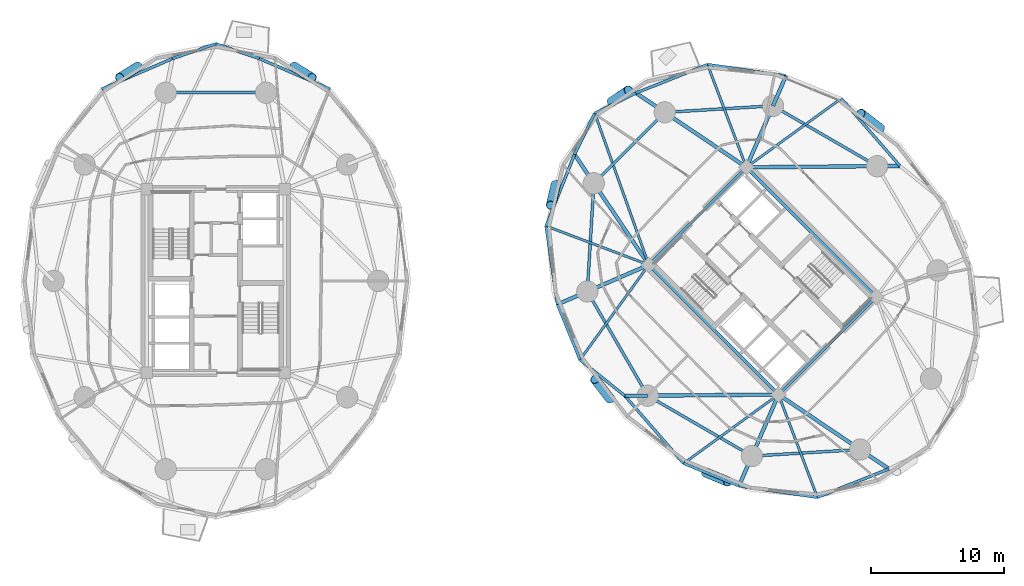
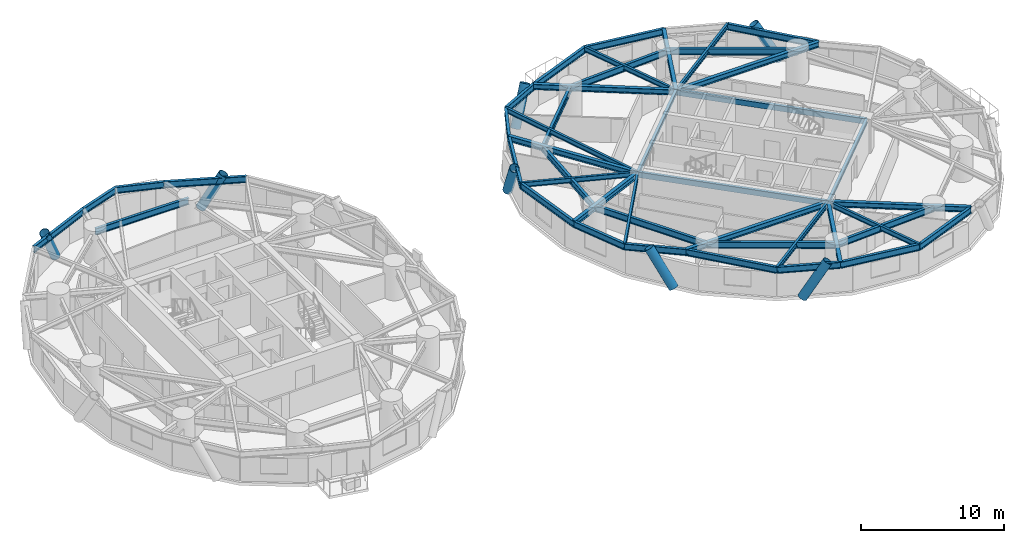
# One storey, part 4 of 15: 46 beams, 7 members.
"""IFC4 building model written with IfcOpenShell, lengths in metres."""

from ifc_helpers import new_model, si_unit, direction, frame, origin, origin_2d, place, context, subcontext, project, spatial, hollow_rectangle, hollow_circle, i_section, extrude, material, material_profile, profile_set, type_object, element, save


model = new_model("IFC4")

# Units and contexts
model_context = context("Model", 3, precision=1e-05, world=origin(), true_north=direction((0.0, 1.0)))
body_context = subcontext(model_context, "Body", "Model", "MODEL_VIEW")
ifc_project = project(units=[si_unit("LENGTHUNIT", "METRE"), si_unit("AREAUNIT", "SQUARE_METRE"), si_unit("VOLUMEUNIT", "CUBIC_METRE"), si_unit("PLANEANGLEUNIT", "RADIAN"), si_unit("MASSUNIT", "GRAM", prefix="KILO")], contexts=[model_context])

# Site, building, storey
site_placement = place(None, origin())
site = spatial("IfcSite", under=ifc_project, at=site_placement, CompositionType="ELEMENT")
building_placement = place(site_placement, origin())
building = spatial("IfcBuilding", under=site, at=building_placement, Name="Cununo Teusaquillo Station Towers", CompositionType="ELEMENT")
storey_placement = place(building_placement, frame((0.0, 0.0, 24.909912109375)))
storey = spatial("IfcBuildingStorey", under=building, at=storey_placement, Name="L06", CompositionType="ELEMENT", Elevation=24.909912109375)

# Beams
ifc_material_1 = material(Name="Steel EN 10025-2 S355J2", Category="steel")
ifc_material_profile_1 = material_profile(ifc_material_1, hollow_rectangle(XDim=0.25, YDim=0.449951171875, WallThickness=0.01611328125, at=origin_2d()), Name="RHS 450x250x16")
ifc_profile_set_1 = profile_set([ifc_material_profile_1], Name="Steel EN 10025-2 S355J2")
beam_type_1 = type_object("IfcBeamType", Name="BM-COUP-1", PredefinedType="USERDEFINED", material=ifc_profile_set_1)
for number, where, z_axis, x_axis, name in (
    (1, (58.70556640625, 15.975830078125, 2.425048828125), (-0.707106781187, 0.707106781187, 0.0), (-0.707106781187, -0.707106781187, 0.0), "L06 Tower B Core Beam 1"),
    (2, (66.024169921875, 23.29443359375, 2.425048828125), (-0.707106781187, 0.707106781187, 0.0), (-0.707106781187, -0.707106781187, 0.0), "L06 Tower B Core Beam 2"),
):
    element("IfcBeam", number, at=place(storey_placement, frame(where, z_axis=z_axis, x_axis=x_axis)), inside=storey, type_object=beam_type_1, Name=name, ObjectType="COUPLING BEAM", PredefinedType="USERDEFINED", context=body_context, shape_type="SweptSolid", body=[
        extrude(hollow_rectangle(XDim=0.25, YDim=0.449951171875, WallThickness=0.01611328125, at=origin_2d()), origin(), (0.0, 0.0, 1.0), 13.760009765625),
    ])
ifc_material_2 = material(Name="Steel ASTM A572 Grade 50", Category="steel")
ifc_material_profile_2 = material_profile(ifc_material_2, i_section(OverallWidth=0.180908203125, OverallDepth=0.4169921875, WebThickness=0.010986328125, FlangeThickness=0.018310546875, FilletRadius=0.012939453125, at=origin_2d()), Name="W16X57")
ifc_profile_set_2 = profile_set([ifc_material_profile_2], Name="Steel ASTM A572 Grade 50")
beam_type_2 = type_object("IfcBeamType", Name="BM-JOIST-1", PredefinedType="JOIST", material=ifc_profile_set_2)
beam_1_placement = place(storey_placement, frame((56.29443359375, 33.024169921875, 2.441650390625), z_axis=(0.80949430453, 0.587127729658, 0.0), x_axis=(-0.587127729658, 0.80949430453, 0.0)))
element("IfcBeam", 3, at=beam_1_placement, inside=storey, type_object=beam_type_2, Name="L06 Tower B Radial Spandrel Joist V01", PredefinedType="JOIST", context=body_context, shape_type="SweptSolid", body=[
    extrude(i_section(OverallWidth=0.180908203125, OverallDepth=0.4169921875, WebThickness=0.010986328125, FlangeThickness=0.018310546875, FilletRadius=0.012939453125, at=origin_2d()), origin(), (0.0, 0.0, 1.0), 8.792236328125),
])
beam_2_placement = place(storey_placement, frame((56.29443359375, 33.024169921875, 2.441650390625), z_axis=(-0.353719108867, 0.935351694296, 0.0), x_axis=(-0.935351694296, -0.353719108867, 0.0)))
element("IfcBeam", 4, at=beam_2_placement, inside=storey, type_object=beam_type_2, Name="L06 Tower B Radial Spandrel Joist V03", PredefinedType="JOIST", context=body_context, shape_type="SweptSolid", body=[
    extrude(i_section(OverallWidth=0.180908203125, OverallDepth=0.4169921875, WebThickness=0.010986328125, FlangeThickness=0.018310546875, FilletRadius=0.012939453125, at=origin_2d()), origin(), (0.0, 0.0, 1.0), 8.24169921875),
])
beam_3_placement = place(storey_placement, frame((48.975830078125, 25.70556640625, 2.441650390625), z_axis=(-0.335830426812, 0.941922462004, 0.0), x_axis=(-0.941922462004, -0.335830426812, 0.0)))
element("IfcBeam", 5, at=beam_3_placement, inside=storey, type_object=beam_type_2, Name="L06 Tower B Radial Spandrel Joist V05", PredefinedType="JOIST", context=body_context, shape_type="SweptSolid", body=[
    extrude(i_section(OverallWidth=0.180908203125, OverallDepth=0.4169921875, WebThickness=0.010986328125, FlangeThickness=0.018310546875, FilletRadius=0.012939453125, at=origin_2d()), origin(), (0.0, 0.0, 1.0), 12.074951171875),
])
beam_4_placement = place(storey_placement, frame((48.975830078125, 25.70556640625, 2.441650390625), z_axis=(-0.935351694296, 0.353719108867, 0.0), x_axis=(-0.353719108867, -0.935351694296, 0.0)))
element("IfcBeam", 6, at=beam_4_placement, inside=storey, type_object=beam_type_2, Name="L06 Tower B Radial Spandrel Joist V07", PredefinedType="JOIST", context=body_context, shape_type="SweptSolid", body=[
    extrude(i_section(OverallWidth=0.180908203125, OverallDepth=0.4169921875, WebThickness=0.010986328125, FlangeThickness=0.018310546875, FilletRadius=0.012939453125, at=origin_2d()), origin(), (0.0, 0.0, 1.0), 8.24169921875),
])
for number, where, z_axis, x_axis, name in (
    (7, (48.975830078125, 25.70556640625, 2.441650390625), (-0.587127729658, -0.80949430453, 0.0), (0.80949430453, -0.587127729658, 0.0), "L06 Tower B Radial Spandrel Joist V09"),
    (8, (58.70556640625, 15.975830078125, 2.441650390625), (-0.80949430453, -0.587127729658, 0.0), (0.587127729658, -0.80949430453, 0.0), "L06 Tower B Radial Spandrel Joist V11"),
):
    element("IfcBeam", number, at=place(storey_placement, frame(where, z_axis=z_axis, x_axis=x_axis)), inside=storey, type_object=beam_type_2, Name=name, PredefinedType="JOIST", context=body_context, shape_type="SweptSolid", body=[
        extrude(i_section(OverallWidth=0.180908203125, OverallDepth=0.4169921875, WebThickness=0.010986328125, FlangeThickness=0.018310546875, FilletRadius=0.012939453125, at=origin_2d()), origin(), (0.0, 0.0, 1.0), 8.792236328125),
    ])
beam_5_placement = place(storey_placement, frame((58.70556640625, 15.975830078125, 2.441650390625), z_axis=(0.353719108867, -0.935351694296, 0.0), x_axis=(0.935351694296, 0.353719108867, 0.0)))
element("IfcBeam", 9, at=beam_5_placement, inside=storey, type_object=beam_type_2, Name="L06 Tower B Radial Spandrel Joist V13", PredefinedType="JOIST", context=body_context, shape_type="SweptSolid", body=[
    extrude(i_section(OverallWidth=0.180908203125, OverallDepth=0.4169921875, WebThickness=0.010986328125, FlangeThickness=0.018310546875, FilletRadius=0.012939453125, at=origin_2d()), origin(), (0.0, 0.0, 1.0), 8.24169921875),
])
ifc_material_3 = material(Name="Steel ASTM A572 Grade 50", Category="steel")
ifc_material_profile_3 = material_profile(ifc_material_3, i_section(OverallWidth=0.2041015625, OverallDepth=0.35009765625, WebThickness=0.008544921875, FlangeThickness=0.01513671875, FilletRadius=0.011962890625, at=origin_2d()), Name="W14X48")
ifc_profile_set_3 = profile_set([ifc_material_profile_3], Name="Steel ASTM A572 Grade 50")
beam_type_3 = type_object("IfcBeamType", Name="BM-LINTEL-1", PredefinedType="LINTEL", material=ifc_profile_set_3)
for number, where, z_axis, x_axis, name in (
    (10, (58.70556640625, 15.975830078125, 2.47509765625), (0.707106781187, 0.707106781187, 0.0), (-0.707106781187, 0.707106781187, 0.0), "L06 Tower B Core Beam 3"),
    (11, (48.975830078125, 25.70556640625, 2.47509765625), (0.707106781187, 0.707106781187, 0.0), (-0.707106781187, 0.707106781187, 0.0), "L06 Tower B Core Beam 4"),
):
    element("IfcBeam", number, at=place(storey_placement, frame(where, z_axis=z_axis, x_axis=x_axis)), inside=storey, type_object=beam_type_3, Name=name, PredefinedType="LINTEL", context=body_context, shape_type="SweptSolid", body=[
        extrude(i_section(OverallWidth=0.2041015625, OverallDepth=0.35009765625, WebThickness=0.008544921875, FlangeThickness=0.01513671875, FilletRadius=0.011962890625, at=origin_2d()), origin(), (0.0, 0.0, 1.0), 10.35009765625),
    ])
ifc_material_4 = material(Name="Steel ASTM A572 Grade 50", Category="steel")
ifc_material_profile_4 = material_profile(ifc_material_4, i_section(OverallWidth=0.280029296875, OverallDepth=0.462890625, WebThickness=0.0107421875, FlangeThickness=0.017333984375, FilletRadius=0.013916015625, at=origin_2d()), Name="W18X76")
ifc_profile_set_4 = profile_set([ifc_material_profile_4], Name="Steel ASTM A572 Grade 50")
beam_type_4 = type_object("IfcBeamType", Name="BM-RAD-G1", PredefinedType="BEAM", material=ifc_profile_set_4)
beam_6_placement = place(storey_placement, frame((56.29443359375, 33.024169921875, 2.418701171875), z_axis=(0.999964447856, 0.008432260906, 0.0), x_axis=(-0.008432260906, 0.999964447856, 0.0)))
element("IfcBeam", 12, at=beam_6_placement, inside=storey, type_object=beam_type_4, Name="L06 Tower B Continuous Overhanging Radial Girder 01", PredefinedType="BEAM", context=body_context, shape_type="SweptSolid", body=[
    extrude(i_section(OverallWidth=0.280029296875, OverallDepth=0.462890625, WebThickness=0.0107421875, FlangeThickness=0.017333984375, FilletRadius=0.013916015625, at=origin_2d()), origin(), (0.0, 0.0, 1.0), 11.5234375),
])
beam_7_placement = place(storey_placement, frame((56.29443359375, 33.024169921875, 2.418701171875), z_axis=(0.397346986387, 0.917668443616, 0.0), x_axis=(-0.917668443616, 0.397346986387, 0.0)))
element("IfcBeam", 13, at=beam_7_placement, inside=storey, type_object=beam_type_4, Name="L06 Tower B Radial Girder 02A", PredefinedType="BEAM", context=body_context, shape_type="SweptSolid", body=[
    extrude(i_section(OverallWidth=0.280029296875, OverallDepth=0.462890625, WebThickness=0.0107421875, FlangeThickness=0.017333984375, FilletRadius=0.013916015625, at=origin_2d()), origin(), (0.0, 0.0, 1.0), 5.02490234375),
])
beam_8_placement = place(storey_placement, frame((58.291015625, 37.63525390625, 2.418701171875), z_axis=(0.397441796758, 0.917627385266, 0.0), x_axis=(-0.917627385266, 0.397441796758, 0.0)))
element("IfcBeam", 14, at=beam_8_placement, inside=storey, type_object=beam_type_4, Name="L06 Tower B Perimeter Overhang Girder 02B", PredefinedType="BEAM", context=body_context, shape_type="SweptSolid", body=[
    extrude(i_section(OverallWidth=0.280029296875, OverallDepth=0.462890625, WebThickness=0.0107421875, FlangeThickness=0.017333984375, FilletRadius=0.013916015625, at=origin_2d()), origin(), (0.0, 0.0, 1.0), 2.4404296875),
])
for number, where, z_axis, x_axis, name in (
    (15, (56.29443359375, 33.024169921875, 2.418701171875), (-0.829460052631, 0.558566040042, 0.0), (-0.558566040042, -0.829460052631, 0.0), "L06 Tower B Continuous Overhanging Radial Girder 03"),
    (16, (48.975830078125, 25.70556640625, 2.418701171875), (-0.558566040042, 0.829460052631, 0.0), (-0.829460052631, -0.558566040042, 0.0), "L06 Tower B Continuous Overhanging Radial Girder 04"),
):
    element("IfcBeam", number, at=place(storey_placement, frame(where, z_axis=z_axis, x_axis=x_axis)), inside=storey, type_object=beam_type_4, Name=name, PredefinedType="BEAM", context=body_context, shape_type="SweptSolid", body=[
        extrude(i_section(OverallWidth=0.280029296875, OverallDepth=0.462890625, WebThickness=0.0107421875, FlangeThickness=0.017333984375, FilletRadius=0.013916015625, at=origin_2d()), origin(), (0.0, 0.0, 1.0), 9.982177734375),
    ])
beam_9_placement = place(storey_placement, frame((48.975830078125, 25.70556640625, 2.418701171875), z_axis=(-0.917655022043, -0.397377981926, 0.0), x_axis=(0.397377981926, -0.917655022043, 0.0)))
element("IfcBeam", 17, at=beam_9_placement, inside=storey, type_object=beam_type_4, Name="L06 Tower B Continuous Overhanging Radial Girder 05", PredefinedType="BEAM", context=body_context, shape_type="SweptSolid", body=[
    extrude(i_section(OverallWidth=0.280029296875, OverallDepth=0.462890625, WebThickness=0.0107421875, FlangeThickness=0.017333984375, FilletRadius=0.013916015625, at=origin_2d()), origin(), (0.0, 0.0, 1.0), 7.46533203125),
])
beam_10_placement = place(storey_placement, frame((58.70556640625, 15.975830078125, 2.418701171875), z_axis=(-0.999964431382, -0.008434214327, 0.0), x_axis=(0.008434214327, -0.999964431382, 0.0)))
element("IfcBeam", 18, at=beam_10_placement, inside=storey, type_object=beam_type_4, Name="L06 Tower B Radial Girder 06A", PredefinedType="BEAM", context=body_context, shape_type="SweptSolid", body=[
    extrude(i_section(OverallWidth=0.280029296875, OverallDepth=0.462890625, WebThickness=0.0107421875, FlangeThickness=0.017333984375, FilletRadius=0.013916015625, at=origin_2d()), origin(), (0.0, 0.0, 1.0), 9.812744140625),
])
beam_11_placement = place(storey_placement, frame((48.89306640625, 15.89306640625, 2.418701171875), z_axis=(-0.999964542292, -0.008421054524, 0.0), x_axis=(0.008421054524, -0.999964542292, 0.0)))
element("IfcBeam", 19, at=beam_11_placement, inside=storey, type_object=beam_type_4, Name="L06 Tower B Perimeter Overhang Girder 06B", PredefinedType="BEAM", context=body_context, shape_type="SweptSolid", body=[
    extrude(i_section(OverallWidth=0.280029296875, OverallDepth=0.462890625, WebThickness=0.0107421875, FlangeThickness=0.017333984375, FilletRadius=0.013916015625, at=origin_2d()), origin(), (0.0, 0.0, 1.0), 1.71044921875),
])
beam_12_placement = place(storey_placement, frame((58.70556640625, 15.975830078125, 2.418701171875), z_axis=(-0.397377981926, -0.917655022043, 0.0), x_axis=(0.917655022043, -0.397377981926, 0.0)))
element("IfcBeam", 20, at=beam_12_placement, inside=storey, type_object=beam_type_4, Name="L06 Tower B Continuous Overhanging Radial Girder 07", PredefinedType="BEAM", context=body_context, shape_type="SweptSolid", body=[
    extrude(i_section(OverallWidth=0.280029296875, OverallDepth=0.462890625, WebThickness=0.0107421875, FlangeThickness=0.017333984375, FilletRadius=0.013916015625, at=origin_2d()), origin(), (0.0, 0.0, 1.0), 7.46533203125),
])
beam_13_placement = place(storey_placement, frame((58.70556640625, 15.975830078125, 2.418701171875), z_axis=(0.829460052631, -0.558566040042, 0.0), x_axis=(0.558566040042, 0.829460052631, 0.0)))
element("IfcBeam", 21, at=beam_13_placement, inside=storey, type_object=beam_type_4, Name="L06 Tower B Continuous Overhanging Radial Girder 08", PredefinedType="BEAM", context=body_context, shape_type="SweptSolid", body=[
    extrude(i_section(OverallWidth=0.280029296875, OverallDepth=0.462890625, WebThickness=0.0107421875, FlangeThickness=0.017333984375, FilletRadius=0.013916015625, at=origin_2d()), origin(), (0.0, 0.0, 1.0), 9.982177734375),
])
ifc_material_5 = material(Name="Steel ASTM A572 Grade 50", Category="steel")
ifc_material_profile_5 = material_profile(ifc_material_5, i_section(OverallWidth=0.214111328125, OverallDepth=0.549072265625, WebThickness=0.0146484375, FlangeThickness=0.023681640625, FilletRadius=0.014892578125, at=origin_2d()), Name="W21X93")
ifc_profile_set_5 = profile_set([ifc_material_profile_5], Name="Steel ASTM A572 Grade 50")
beam_type_5 = type_object("IfcBeamType", Name="BM-RING-Z1", PredefinedType="SPANDREL", material=ifc_profile_set_5)
beam_14_placement = place(storey_placement, frame((20.261474609375, 38.623291015625, 2.37548828125), z_axis=(-1.0, 0.0, 0.0), x_axis=(0.0, -1.0, 0.0)))
element("IfcBeam", 22, at=beam_14_placement, inside=storey, type_object=beam_type_5, Name="L06 Tower A Structural Column Ring Girder 03", PredefinedType="SPANDREL", context=body_context, shape_type="SweptSolid", body=[
    extrude(i_section(OverallWidth=0.214111328125, OverallDepth=0.549072265625, WebThickness=0.0146484375, FlangeThickness=0.023681640625, FilletRadius=0.014892578125, at=origin_2d()), origin(), (0.0, 0.0, 1.0), 7.52294921875),
])
beam_15_placement = place(storey_placement, frame((25.064697265625, 38.892333984375, 2.37548828125), z_axis=(-0.91834475778, 0.395781386446, 0.0), x_axis=(-0.395781386446, -0.91834475778, 0.0)))
element("IfcBeam", 23, at=beam_15_placement, inside=storey, type_object=beam_type_5, Name="L06 Tower A Spandrel Ring Beam 04", PredefinedType="SPANDREL", context=body_context, shape_type="SweptSolid", body=[
    extrude(i_section(OverallWidth=0.214111328125, OverallDepth=0.549072265625, WebThickness=0.0146484375, FlangeThickness=0.023681640625, FilletRadius=0.014892578125, at=origin_2d()), origin(), (0.0, 0.0, 1.0), 5.773193359375),
])
for number, where, z_axis, x_axis, name in (
    (24, (19.762939453125, 41.17724609375, 2.37548828125), (-0.946472331641, 0.32278495231, 0.0), (-0.32278495231, -0.946472331641, 0.0), "L06 Tower A Spandrel Ring Beam 05"),
    (25, (16.5, 42.2900390625, 2.37548828125), (-0.946472331641, -0.32278495231, 0.0), (0.32278495231, -0.946472331641, 0.0), "L06 Tower A Spandrel Ring Beam 06"),
):
    element("IfcBeam", number, at=place(storey_placement, frame(where, z_axis=z_axis, x_axis=x_axis)), inside=storey, type_object=beam_type_5, Name=name, PredefinedType="SPANDREL", context=body_context, shape_type="SweptSolid", body=[
        extrude(i_section(OverallWidth=0.214111328125, OverallDepth=0.549072265625, WebThickness=0.0146484375, FlangeThickness=0.023681640625, FilletRadius=0.014892578125, at=origin_2d()), origin(), (0.0, 0.0, 1.0), 3.447509765625),
    ])
beam_16_placement = place(storey_placement, frame((13.237060546875, 41.17724609375, 2.37548828125), z_axis=(-0.91834475778, -0.395781386446, 0.0), x_axis=(0.395781386446, -0.91834475778, 0.0)))
element("IfcBeam", 26, at=beam_16_placement, inside=storey, type_object=beam_type_5, Name="L06 Tower A Spandrel Ring Beam 07", PredefinedType="SPANDREL", context=body_context, shape_type="SweptSolid", body=[
    extrude(i_section(OverallWidth=0.214111328125, OverallDepth=0.549072265625, WebThickness=0.0146484375, FlangeThickness=0.023681640625, FilletRadius=0.014892578125, at=origin_2d()), origin(), (0.0, 0.0, 1.0), 5.773193359375),
])
beam_17_placement = place(storey_placement, frame((66.10693359375, 33.10693359375, 2.37548828125), z_axis=(-0.865267103202, 0.501311121078, 0.0), x_axis=(-0.501311121078, -0.865267103202, 0.0)))
element("IfcBeam", 27, at=beam_17_placement, inside=storey, type_object=beam_type_5, Name="L06 Tower B Structural Column Ring Girder 01", PredefinedType="SPANDREL", context=body_context, shape_type="SweptSolid", body=[
    extrude(i_section(OverallWidth=0.214111328125, OverallDepth=0.549072265625, WebThickness=0.0146484375, FlangeThickness=0.023681640625, FilletRadius=0.014892578125, at=origin_2d()), origin(), (0.0, 0.0, 1.0), 9.032958984375),
])
beam_18_placement = place(storey_placement, frame((58.291015625, 37.63525390625, 2.37548828125), z_axis=(-0.998190567048, -0.06012979176, 0.0), x_axis=(0.06012979176, -0.998190567048, 0.0)))
element("IfcBeam", 28, at=beam_18_placement, inside=storey, type_object=beam_type_5, Name="L06 Tower B Structural Column Ring Girder 02", PredefinedType="SPANDREL", context=body_context, shape_type="SweptSolid", body=[
    extrude(i_section(OverallWidth=0.214111328125, OverallDepth=0.549072265625, WebThickness=0.0146484375, FlangeThickness=0.023681640625, FilletRadius=0.014892578125, at=origin_2d()), origin(), (0.0, 0.0, 1.0), 8.132568359375),
])
beam_19_placement = place(storey_placement, frame((50.173095703125, 37.146240234375, 2.37548828125), z_axis=(-0.707106781187, -0.707106781187, 0.0), x_axis=(0.707106781187, -0.707106781187, 0.0)))
element("IfcBeam", 29, at=beam_19_placement, inside=storey, type_object=beam_type_5, Name="L06 Tower B Structural Column Ring Girder 03", PredefinedType="SPANDREL", context=body_context, shape_type="SweptSolid", body=[
    extrude(i_section(OverallWidth=0.214111328125, OverallDepth=0.549072265625, WebThickness=0.0146484375, FlangeThickness=0.023681640625, FilletRadius=0.014892578125, at=origin_2d()), origin(), (0.0, 0.0, 1.0), 7.522705078125),
])
beam_20_placement = place(storey_placement, frame((44.853759765625, 31.826904296875, 2.37548828125), z_axis=(-0.06012979176, -0.998190567048, 0.0), x_axis=(0.998190567048, -0.06012979176, 0.0)))
element("IfcBeam", 30, at=beam_20_placement, inside=storey, type_object=beam_type_5, Name="L06 Tower B Structural Column Ring Girder 04", PredefinedType="SPANDREL", context=body_context, shape_type="SweptSolid", body=[
    extrude(i_section(OverallWidth=0.214111328125, OverallDepth=0.549072265625, WebThickness=0.0146484375, FlangeThickness=0.023681640625, FilletRadius=0.014892578125, at=origin_2d()), origin(), (0.0, 0.0, 1.0), 8.132568359375),
])
for number, where, z_axis, x_axis, name in (
    (31, (44.36474609375, 23.708984375, 2.37548828125), (0.501311121078, -0.865267103202, 0.0), (0.865267103202, 0.501311121078, 0.0), "L06 Tower B Structural Column Ring Girder 05"),
    (32, (48.89306640625, 15.89306640625, 2.37548828125), (0.865267103202, -0.501311121078, 0.0), (0.501311121078, 0.865267103202, 0.0), "L06 Tower B Structural Column Ring Girder 06"),
):
    element("IfcBeam", number, at=place(storey_placement, frame(where, z_axis=z_axis, x_axis=x_axis)), inside=storey, type_object=beam_type_5, Name=name, PredefinedType="SPANDREL", context=body_context, shape_type="SweptSolid", body=[
        extrude(i_section(OverallWidth=0.214111328125, OverallDepth=0.549072265625, WebThickness=0.0146484375, FlangeThickness=0.023681640625, FilletRadius=0.014892578125, at=origin_2d()), origin(), (0.0, 0.0, 1.0), 9.032958984375),
    ])
beam_21_placement = place(storey_placement, frame((56.708984375, 11.36474609375, 2.37548828125), z_axis=(0.998190567048, 0.06012979176, 0.0), x_axis=(-0.06012979176, 0.998190567048, 0.0)))
element("IfcBeam", 33, at=beam_21_placement, inside=storey, type_object=beam_type_5, Name="L06 Tower B Structural Column Ring Girder 07", PredefinedType="SPANDREL", context=body_context, shape_type="SweptSolid", body=[
    extrude(i_section(OverallWidth=0.214111328125, OverallDepth=0.549072265625, WebThickness=0.0146484375, FlangeThickness=0.023681640625, FilletRadius=0.014892578125, at=origin_2d()), origin(), (0.0, 0.0, 1.0), 8.132568359375),
])
beam_22_placement = place(storey_placement, frame((67.8173828125, 33.121337890625, 2.37548828125), z_axis=(-0.656302961242, 0.754497463922, 0.0), x_axis=(-0.754497463922, -0.656302961242, 0.0)))
element("IfcBeam", 34, at=beam_22_placement, inside=storey, type_object=beam_type_5, Name="L06 Tower B Spandrel Ring Beam 01", PredefinedType="SPANDREL", context=body_context, shape_type="SweptSolid", body=[
    extrude(i_section(OverallWidth=0.214111328125, OverallDepth=0.549072265625, WebThickness=0.0146484375, FlangeThickness=0.023681640625, FilletRadius=0.014892578125, at=origin_2d()), origin(), (0.0, 0.0, 1.0), 6.712890625),
])
beam_23_placement = place(storey_placement, frame((59.260986328125, 39.874755859375, 2.37548828125), z_axis=(-0.989517824356, 0.144410786586, 0.0), x_axis=(-0.144410786586, -0.989517824356, 0.0)))
element("IfcBeam", 35, at=beam_23_placement, inside=storey, type_object=beam_type_5, Name="L06 Tower B Spandrel Ring Beam 03", PredefinedType="SPANDREL", context=body_context, shape_type="SweptSolid", body=[
    extrude(i_section(OverallWidth=0.214111328125, OverallDepth=0.549072265625, WebThickness=0.0146484375, FlangeThickness=0.023681640625, FilletRadius=0.014892578125, at=origin_2d()), origin(), (0.0, 0.0, 1.0), 5.944091796875),
])
beam_24_placement = place(storey_placement, frame((53.379150390625, 40.733154296875, 2.37548828125), z_axis=(-0.929221438466, -0.369523366373, 0.0), x_axis=(0.369523366373, -0.929221438466, 0.0)))
element("IfcBeam", 36, at=beam_24_placement, inside=storey, type_object=beam_type_5, Name="L06 Tower B Spandrel Ring Beam 04", PredefinedType="SPANDREL", context=body_context, shape_type="SweptSolid", body=[
    extrude(i_section(OverallWidth=0.214111328125, OverallDepth=0.549072265625, WebThickness=0.0146484375, FlangeThickness=0.023681640625, FilletRadius=0.014892578125, at=origin_2d()), origin(), (0.0, 0.0, 1.0), 5.773193359375),
])
for number, where, z_axis, x_axis, name in (
    (37, (48.0146484375, 38.599853515625, 2.37548828125), (-0.89747957949, -0.4410560105, 0.0), (0.4410560105, -0.89747957949, 0.0), "L06 Tower B Spandrel Ring Beam 05"),
    (38, (44.920654296875, 37.079345703125, 2.37548828125), (-0.4410560105, -0.89747957949, 0.0), (0.89747957949, -0.4410560105, 0.0), "L06 Tower B Spandrel Ring Beam 06"),
):
    element("IfcBeam", number, at=place(storey_placement, frame(where, z_axis=z_axis, x_axis=x_axis)), inside=storey, type_object=beam_type_5, Name=name, PredefinedType="SPANDREL", context=body_context, shape_type="SweptSolid", body=[
        extrude(i_section(OverallWidth=0.214111328125, OverallDepth=0.549072265625, WebThickness=0.0146484375, FlangeThickness=0.023681640625, FilletRadius=0.014892578125, at=origin_2d()), origin(), (0.0, 0.0, 1.0), 3.447509765625),
    ])
beam_25_placement = place(storey_placement, frame((43.400146484375, 33.9853515625, 2.37548828125), z_axis=(-0.369523366373, -0.929221438466, 0.0), x_axis=(0.929221438466, -0.369523366373, 0.0)))
element("IfcBeam", 39, at=beam_25_placement, inside=storey, type_object=beam_type_5, Name="L06 Tower B Spandrel Ring Beam 07", PredefinedType="SPANDREL", context=body_context, shape_type="SweptSolid", body=[
    extrude(i_section(OverallWidth=0.214111328125, OverallDepth=0.549072265625, WebThickness=0.0146484375, FlangeThickness=0.023681640625, FilletRadius=0.014892578125, at=origin_2d()), origin(), (0.0, 0.0, 1.0), 5.773193359375),
])
beam_26_placement = place(storey_placement, frame((41.266845703125, 28.620849609375, 2.37548828125), z_axis=(0.144410786586, -0.989517824356, 0.0), x_axis=(0.989517824356, 0.144410786586, 0.0)))
element("IfcBeam", 40, at=beam_26_placement, inside=storey, type_object=beam_type_5, Name="L06 Tower B Spandrel Ring Beam 08", PredefinedType="SPANDREL", context=body_context, shape_type="SweptSolid", body=[
    extrude(i_section(OverallWidth=0.214111328125, OverallDepth=0.549072265625, WebThickness=0.0146484375, FlangeThickness=0.023681640625, FilletRadius=0.014892578125, at=origin_2d()), origin(), (0.0, 0.0, 1.0), 5.944091796875),
])
beam_27_placement = place(storey_placement, frame((42.125244140625, 22.739013671875, 2.37548828125), z_axis=(0.376813976218, -0.926288954553, 0.0), x_axis=(0.926288954553, 0.376813976218, 0.0)))
element("IfcBeam", 41, at=beam_27_placement, inside=storey, type_object=beam_type_5, Name="L06 Tower B Spandrel Ring Beam 09", PredefinedType="SPANDREL", context=body_context, shape_type="SweptSolid", body=[
    extrude(i_section(OverallWidth=0.214111328125, OverallDepth=0.549072265625, WebThickness=0.0146484375, FlangeThickness=0.023681640625, FilletRadius=0.014892578125, at=origin_2d()), origin(), (0.0, 0.0, 1.0), 4.48095703125),
])
beam_28_placement = place(storey_placement, frame((43.813720703125, 18.58837890625, 2.37548828125), z_axis=(0.779218846052, -0.626751936541, 0.0), x_axis=(0.626751936541, 0.779218846052, 0.0)))
element("IfcBeam", 42, at=beam_28_placement, inside=storey, type_object=beam_type_5, Name="L06 Tower B Spandrel Ring Beam 10", PredefinedType="SPANDREL", context=body_context, shape_type="SweptSolid", body=[
    extrude(i_section(OverallWidth=0.214111328125, OverallDepth=0.549072265625, WebThickness=0.0146484375, FlangeThickness=0.023681640625, FilletRadius=0.014892578125, at=origin_2d()), origin(), (0.0, 0.0, 1.0), 4.323486328125),
])
beam_29_placement = place(storey_placement, frame((47.1826171875, 15.878662109375, 2.37548828125), z_axis=(0.656302961242, -0.754497463922, 0.0), x_axis=(0.754497463922, 0.656302961242, 0.0)))
element("IfcBeam", 43, at=beam_29_placement, inside=storey, type_object=beam_type_5, Name="L06 Tower B Spandrel Ring Beam 11", PredefinedType="SPANDREL", context=body_context, shape_type="SweptSolid", body=[
    extrude(i_section(OverallWidth=0.214111328125, OverallDepth=0.549072265625, WebThickness=0.0146484375, FlangeThickness=0.023681640625, FilletRadius=0.014892578125, at=origin_2d()), origin(), (0.0, 0.0, 1.0), 6.712890625),
])
beam_30_placement = place(storey_placement, frame((51.58837890625, 10.813720703125, 2.37548828125), z_axis=(0.926288954553, -0.376813976218, 0.0), x_axis=(0.376813976218, 0.926288954553, 0.0)))
element("IfcBeam", 44, at=beam_30_placement, inside=storey, type_object=beam_type_5, Name="L06 Tower B Spandrel Ring Beam 12", PredefinedType="SPANDREL", context=body_context, shape_type="SweptSolid", body=[
    extrude(i_section(OverallWidth=0.214111328125, OverallDepth=0.549072265625, WebThickness=0.0146484375, FlangeThickness=0.023681640625, FilletRadius=0.014892578125, at=origin_2d()), origin(), (0.0, 0.0, 1.0), 4.48095703125),
])
beam_31_placement = place(storey_placement, frame((55.739013671875, 9.125244140625, 2.37548828125), z_axis=(0.989517824356, -0.144410786586, 0.0), x_axis=(0.144410786586, 0.989517824356, 0.0)))
element("IfcBeam", 45, at=beam_31_placement, inside=storey, type_object=beam_type_5, Name="L06 Tower B Spandrel Ring Beam 13", PredefinedType="SPANDREL", context=body_context, shape_type="SweptSolid", body=[
    extrude(i_section(OverallWidth=0.214111328125, OverallDepth=0.549072265625, WebThickness=0.0146484375, FlangeThickness=0.023681640625, FilletRadius=0.014892578125, at=origin_2d()), origin(), (0.0, 0.0, 1.0), 5.944091796875),
])
beam_32_placement = place(storey_placement, frame((61.620849609375, 8.266845703125, 2.37548828125), z_axis=(0.929221438466, 0.369523366373, 0.0), x_axis=(-0.369523366373, 0.929221438466, 0.0)))
element("IfcBeam", 46, at=beam_32_placement, inside=storey, type_object=beam_type_5, Name="L06 Tower B Spandrel Ring Beam 14", PredefinedType="SPANDREL", context=body_context, shape_type="SweptSolid", body=[
    extrude(i_section(OverallWidth=0.214111328125, OverallDepth=0.549072265625, WebThickness=0.0146484375, FlangeThickness=0.023681640625, FilletRadius=0.014892578125, at=origin_2d()), origin(), (0.0, 0.0, 1.0), 5.773193359375),
])

# Members
ifc_material_6 = material(Name="Steel EN 10025-2 S355J2", Category="steel")
ifc_material_profile_6 = material_profile(ifc_material_6, hollow_circle(Radius=0.360107421875, WallThickness=0.028076171875, at=origin_2d()), Name="CHS 720x28")
ifc_profile_set_6 = profile_set([ifc_material_profile_6], Name="Steel EN 10025-2 S355J2")
member_type = type_object("IfcMemberType", Name="MBR-DIAG-Z1", PredefinedType="BRACE", material=ifc_profile_set_6)
for number, where, z_axis, x_axis, name in (
    (47, (22.356689453125, 40.576904296875, -0.139892578125), (0.408055438653, -0.253839030536, 0.876958668104), (0.528208680412, 0.849114591758, 0.0), "L06 Tower A Folded-Zigzag Diagrid Tube C03"),
    (48, (10.643310546875, 40.576904296875, -0.139892578125), (-0.408055438653, -0.253839030536, 0.876958668104), (0.528208680412, -0.849114591758, 0.0), "L06 Tower A Folded-Zigzag Diagrid Tube C06"),
):
    element("IfcMember", number, at=place(storey_placement, frame(where, z_axis=z_axis, x_axis=x_axis)), inside=storey, type_object=member_type, Name=name, PredefinedType="BRACE", context=body_context, shape_type="SweptSolid", body=[
        extrude(hollow_circle(Radius=0.360107421875, WallThickness=0.028076171875, at=origin_2d()), origin(), (0.0, 0.0, 1.0), 3.318115234375),
    ])
member_1_placement = place(storey_placement, frame((66.33935546875, 35.930908203125, -0.139892578125), z_axis=(-0.424672158483, 0.327144879926, 0.844174025511), x_axis=(-0.610266107982, -0.792196489167, 0.0)))
element("IfcMember", 49, at=member_1_placement, inside=storey, type_object=member_type, Name="L06 Tower B Folded-Zigzag Diagrid Tube C00", PredefinedType="BRACE", context=body_context, shape_type="SweptSolid", body=[
    extrude(hollow_circle(Radius=0.360107421875, WallThickness=0.028076171875, at=origin_2d()), origin(), (0.0, 0.0, 1.0), 3.447021484375),
])
member_2_placement = place(storey_placement, frame((46.18701171875, 37.935546875, -0.139892578125), z_axis=(0.38533376929, 0.260404817874, 0.885272397103), x_axis=(-0.559922604703, 0.828544915344, 0.0)))
element("IfcMember", 50, at=member_2_placement, inside=storey, type_object=member_type, Name="L06 Tower B Folded-Zigzag Diagrid Tube C04", PredefinedType="BRACE", context=body_context, shape_type="SweptSolid", body=[
    extrude(hollow_circle(Radius=0.360107421875, WallThickness=0.028076171875, at=origin_2d()), origin(), (0.0, 0.0, 1.0), 3.287109375),
])
member_3_placement = place(storey_placement, frame((41.990478515625, 31.726806640625, -0.139892578125), z_axis=(-0.109041000071, -0.468022807997, 0.876963346725), x_axis=(0.973916822154, -0.226905318414, 0.0)))
element("IfcMember", 51, at=member_3_placement, inside=storey, type_object=member_type, Name="L06 Tower B Folded-Zigzag Diagrid Tube C06", PredefinedType="BRACE", context=body_context, shape_type="SweptSolid", body=[
    extrude(hollow_circle(Radius=0.360107421875, WallThickness=0.028076171875, at=origin_2d()), origin(), (0.0, 0.0, 1.0), 3.318115234375),
])
member_4_placement = place(storey_placement, frame((46.069091796875, 15.66064453125, -0.139892578125), z_axis=(-0.327144879926, 0.424672158483, 0.844174025511), x_axis=(-0.792196489167, -0.610266107982, 0.0)))
element("IfcMember", 52, at=member_4_placement, inside=storey, type_object=member_type, Name="L06 Tower B Folded-Zigzag Diagrid Tube C09", PredefinedType="BRACE", context=body_context, shape_type="SweptSolid", body=[
    extrude(hollow_circle(Radius=0.360107421875, WallThickness=0.028076171875, at=origin_2d()), origin(), (0.0, 0.0, 1.0), 3.447021484375),
])
member_5_placement = place(storey_placement, frame((53.2451171875, 10.1328125, -0.139892578125), z_axis=(0.484842369044, -0.199338374541, 0.851582109732), x_axis=(0.380256194589, 0.924881195871, 0.0)))
element("IfcMember", 53, at=member_5_placement, inside=storey, type_object=member_type, Name="L06 Tower B Folded-Zigzag Diagrid Tube C11", PredefinedType="BRACE", context=body_context, shape_type="SweptSolid", body=[
    extrude(hollow_circle(Radius=0.360107421875, WallThickness=0.028076171875, at=origin_2d()), origin(), (0.0, 0.0, 1.0), 3.4169921875),
])

save(model, "model.ifc")
